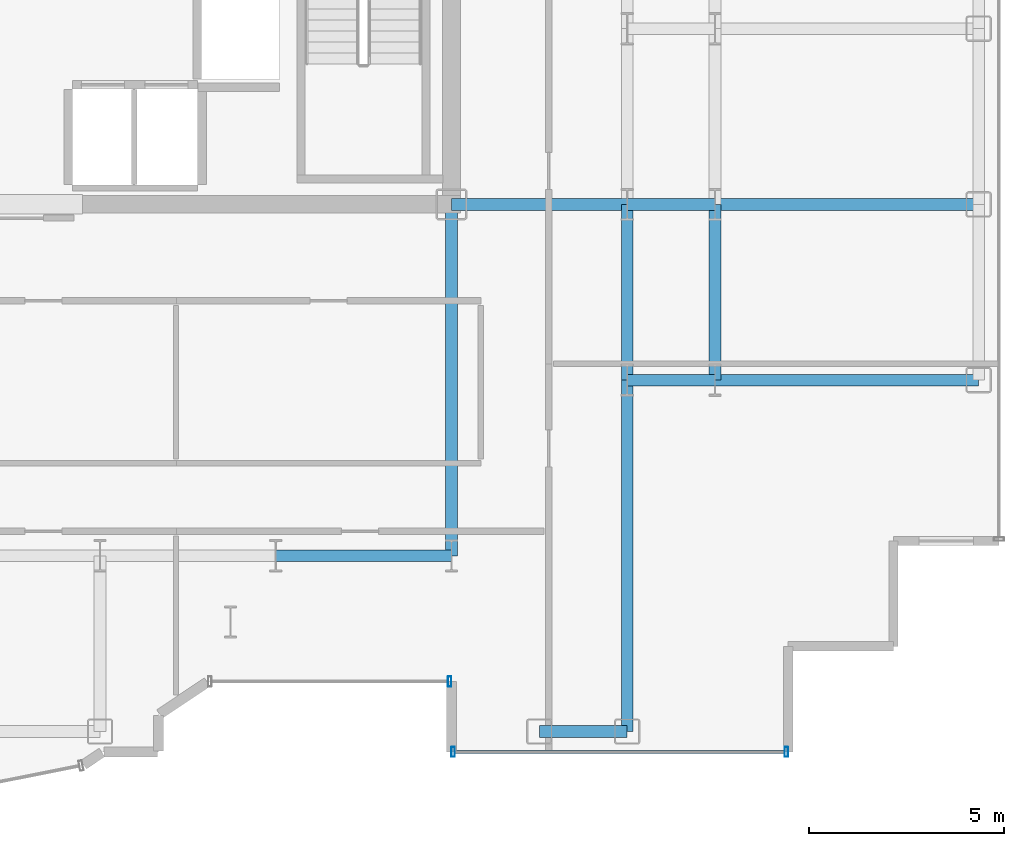
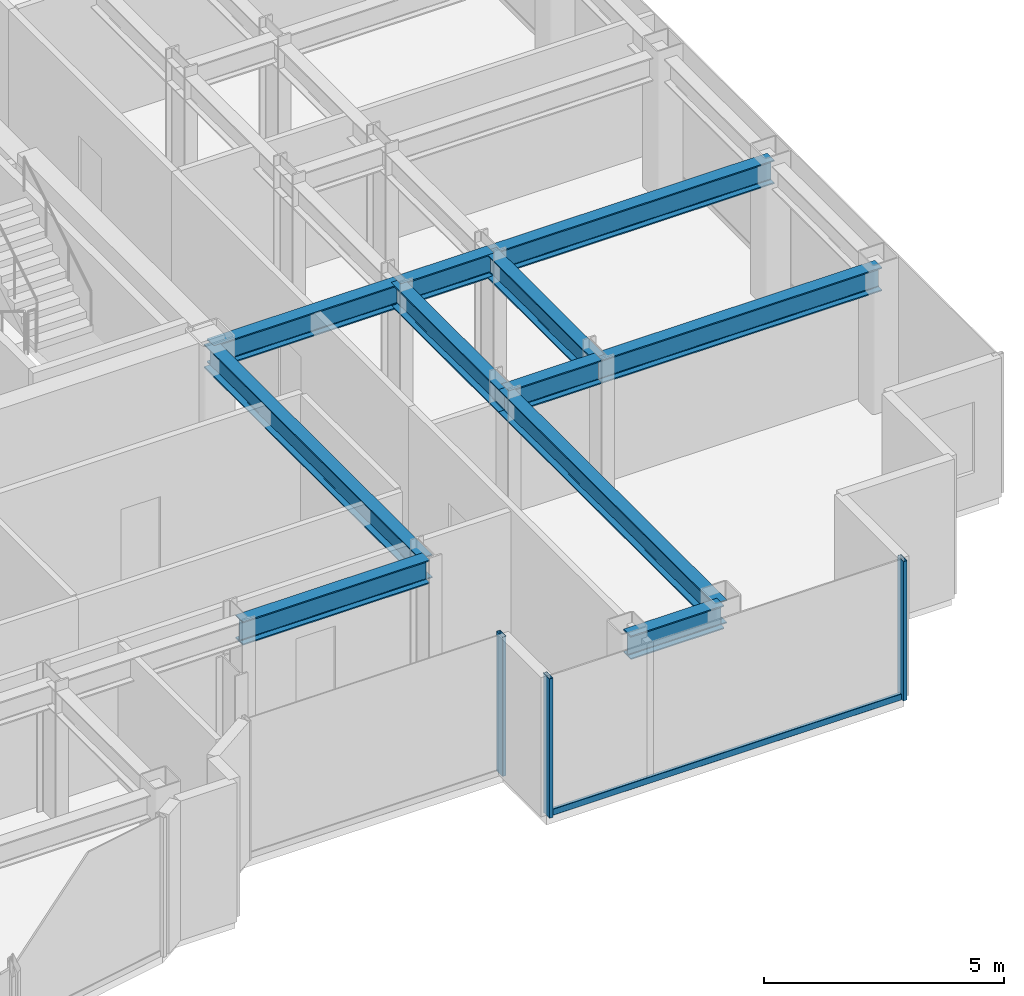
# One storey, part 5 of 20: 11 beams, 4 members, 2 elements without a shape of their own.
"""IFC4 building model written with IfcOpenShell, lengths in metres."""

import ifcopenshell
import ifcopenshell.guid

model = None  # the IFC model being written
_history = None  # IfcOwnerHistory: only IFC2X3 demands one
_inside = {}  # id of a spatial element -> (the spatial element, [elements in it])
_under = {}  # id of a project, library or spatial element -> (it, [spatial elements below it])
_declared = {}  # id of a project -> (the project, [libraries it declares])
_typed = {}  # id of a type object -> (the type object, [elements of that type])
_made_of = {}  # id of a material, layer set ... -> (it, [elements and type objects made of it])


def new_model(schema):
    """Start an empty IFC model of exactly this schema.

    Asked for "IFC4X3", IfcOpenShell would pick the latest addendum, in which some entities
    have other attributes; the version numbers below select the first issue.
    IFC2X3 requires an IfcOwnerHistory on every rooted entity: one is made here for all.
    """
    global model, _history
    if schema == "IFC4X3":
        model = ifcopenshell.file(schema_version=(4, 3, 0, 0))
    else:
        model = ifcopenshell.file(schema=schema)
    _inside.clear()
    _under.clear()
    _declared.clear()
    _typed.clear()
    _made_of.clear()
    _history = None
    if model.schema == "IFC2X3":
        org = make("IfcOrganization", Name="unknown")
        user = make(
            "IfcPersonAndOrganization",
            ThePerson=make("IfcPerson", FamilyName="unknown"),
            TheOrganization=org,
        )
        app = make(
            "IfcApplication",
            ApplicationDeveloper=org,
            Version="unknown",
            ApplicationFullName="unknown",
            ApplicationIdentifier="unknown",
        )
        _history = make(
            "IfcOwnerHistory",
            OwningUser=user,
            OwningApplication=app,
            ChangeAction="ADDED",
            CreationDate=0,
        )
    return model


def make(cls, **values):
    """One entity of the class cls with the attributes given. An attribute that is None is left unset."""
    return model.create_entity(
        cls, **{name: value for name, value in values.items() if value is not None}
    )


def rooted(cls, **values):
    """An entity with a GlobalId (a new one), such as an element, a storey or a relation."""
    return make(cls, GlobalId=ifcopenshell.guid.new(), OwnerHistory=_history, **values)


def si_unit(unit_type, name, prefix=None):
    """IfcSIUnit, for example si_unit("LENGTHUNIT", "METRE", prefix="MILLI")."""
    return make("IfcSIUnit", UnitType=unit_type, Prefix=prefix, Name=name)


def assignment(units):
    """IfcUnitAssignment: the units of a project."""
    return None if units is None else make("IfcUnitAssignment", Units=units)


def point(xyz):
    """IfcCartesianPoint."""
    return None if xyz is None else make("IfcCartesianPoint", Coordinates=xyz)


def direction(xyz):
    """IfcDirection."""
    return None if xyz is None else make("IfcDirection", DirectionRatios=xyz)


def frame(location, z_axis=None, x_axis=None):
    """IfcAxis2Placement3D, a coordinate frame: its origin and axes. An axis left out is left unset."""
    return make(
        "IfcAxis2Placement3D",
        Location=point(location),
        Axis=direction(z_axis),
        RefDirection=direction(x_axis),
    )


def frame_2d(location, x_axis=None):
    """IfcAxis2Placement2D, a coordinate frame in the plane: its origin and x axis."""
    return make(
        "IfcAxis2Placement2D", Location=point(location), RefDirection=direction(x_axis)
    )


def origin():
    """The frame at (0, 0, 0) with its axes left unset."""
    return frame((0.0, 0.0, 0.0))


def origin_2d():
    """The frame at (0, 0) in the plane with its x axis left unset."""
    return frame_2d((0.0, 0.0))


def place(relative_to, where):
    """IfcLocalPlacement: puts the frame where relative to a parent placement (None: the world)."""
    return make(
        "IfcLocalPlacement", PlacementRelTo=relative_to, RelativePlacement=where
    )


def context(
    kind, dimensions, precision=None, world=None, true_north=None, identifier=None
):
    """IfcGeometricRepresentationContext, for example the 3D "Model" context."""
    return make(
        "IfcGeometricRepresentationContext",
        ContextIdentifier=identifier,
        ContextType=kind,
        CoordinateSpaceDimension=dimensions,
        Precision=precision,
        WorldCoordinateSystem=world,
        TrueNorth=true_north,
    )


def subcontext(parent, identifier, kind, view, scale=None):
    """IfcGeometricRepresentationSubContext, for example "Body" below "Model"."""
    return make(
        "IfcGeometricRepresentationSubContext",
        ContextIdentifier=identifier,
        ContextType=kind,
        ParentContext=parent,
        TargetScale=scale,
        TargetView=view,
    )


def project(units=None, contexts=None):
    """IfcProject with its units and contexts."""
    return rooted(
        "IfcProject",
        Name="project",
        RepresentationContexts=contexts,
        UnitsInContext=assignment(units),
    )


def spatial(cls, under=None, at=None, **own):
    """A site, building, storey or space (cls), placed at a placement, below another one or the project."""
    s = rooted(cls, ObjectPlacement=at, **own)
    if under is not None:
        _under.setdefault(under.id(), (under, []))[1].append(s)
    return s


def profile(cls, at=None, kind="AREA", **sizes):
    """A parametric profile (cls). Its sizes go by their IFC names, for example OverallWidth=200.0."""
    return make(cls, ProfileType=kind, Position=at, **sizes)


def hollow_rectangle(**sizes):
    """IfcRectangleHollowProfileDef."""
    return profile("IfcRectangleHollowProfileDef", **sizes)


def i_section(**sizes):
    """IfcIShapeProfileDef."""
    return profile("IfcIShapeProfileDef", **sizes)


def extrude(swept, where, along, depth):
    """IfcExtrudedAreaSolid: the profile swept, set in the frame where, extruded along a direction by depth."""
    return make(
        "IfcExtrudedAreaSolid",
        SweptArea=swept,
        Position=where,
        ExtrudedDirection=direction(along),
        Depth=depth,
    )


def shape(context_of_items, identifier, shape_type, items):
    """IfcShapeRepresentation: the items that make up one representation, for example the "Body"."""
    return make(
        "IfcShapeRepresentation",
        ContextOfItems=context_of_items,
        RepresentationIdentifier=identifier,
        RepresentationType=shape_type,
        Items=items,
    )


def source(mapping_origin, context_of_items, identifier, shape_type, items):
    """IfcRepresentationMap: a shape defined once, which mapped items show again and again."""
    return make(
        "IfcRepresentationMap",
        MappingOrigin=mapping_origin,
        MappedRepresentation=shape(context_of_items, identifier, shape_type, items),
    )


def transform(
    local_origin,
    x_axis=None,
    y_axis=None,
    z_axis=None,
    scale=None,
    scale2=None,
    scale3=None,
    uniform=True,
):
    """IfcCartesianTransformationOperator3D, or its non-uniform kind. x_axis, y_axis, z_axis: its Axis1, 2, 3."""
    if uniform:
        return make(
            "IfcCartesianTransformationOperator3D",
            Axis1=direction(x_axis),
            Axis2=direction(y_axis),
            LocalOrigin=point(local_origin),
            Scale=scale,
            Axis3=direction(z_axis),
        )
    return make(
        "IfcCartesianTransformationOperator3DnonUniform",
        Axis1=direction(x_axis),
        Axis2=direction(y_axis),
        LocalOrigin=point(local_origin),
        Scale=scale,
        Axis3=direction(z_axis),
        Scale2=scale2,
        Scale3=scale3,
    )


def mapped(mapping_source, mapping_target):
    """IfcMappedItem: shows the shape of a source again, moved by a transform."""
    return make(
        "IfcMappedItem", MappingSource=mapping_source, MappingTarget=mapping_target
    )


def material(Name=None, Category=None):
    """IfcMaterial."""
    return make("IfcMaterial", Name=Name, Category=Category)


def layer(
    of_material, thickness, ventilated=None, Name=None, Category=None, Priority=None
):
    """IfcMaterialLayer: one layer of a wall or slab, of a material (None: an air gap)."""
    return make(
        "IfcMaterialLayer",
        Material=of_material,
        LayerThickness=thickness,
        IsVentilated=ventilated,
        Name=Name,
        Category=Category,
        Priority=Priority,
    )


def layer_set(layers, Name=None):
    """IfcMaterialLayerSet."""
    return make("IfcMaterialLayerSet", MaterialLayers=layers, LayerSetName=Name)


def material_profile(
    of_material, cross_section, Name=None, Category=None, Priority=None
):
    """IfcMaterialProfile: a cross section and its material."""
    return make(
        "IfcMaterialProfile",
        Name=Name,
        Material=of_material,
        Profile=cross_section,
        Priority=Priority,
        Category=Category,
    )


def profile_set(profiles, Name=None, composite=None):
    """IfcMaterialProfileSet."""
    return make(
        "IfcMaterialProfileSet",
        Name=Name,
        MaterialProfiles=profiles,
        CompositeProfile=composite,
    )


def made_of(thing, what):
    """Note that an element or type object is made of a material, layer set ...; save() writes the relation."""
    if what is not None:
        _made_of.setdefault(what.id(), (what, []))[1].append(thing)
    return thing


def type_object(cls, material=None, **own):
    """A type object (cls), such as IfcWallType, which elements share."""
    return made_of(rooted(cls, **own), material)


def element(
    cls,
    number,
    at=None,
    inside=None,
    cuts=None,
    type_object=None,
    material=None,
    context=None,
    identifier="Body",
    shape_type=None,
    held_by="IfcProductDefinitionShape",
    body=None,
    shapes=None,
    **own,
):
    """One element of the class cls, such as IfcWall. Its Tag is "e" and its number.

    at: its placement. inside: the storey or other place that contains it. cuts: it is an
    opening in that element (IfcRelVoidsElement). A single representation is given by context,
    identifier, shape_type and body (its items); several are given by shapes. held_by: the class
    of the entity that holds the representations. save() writes the other relations.
    """
    e = rooted(cls, Tag="e%d" % number, ObjectPlacement=at, **own)
    if body is not None:
        shapes = [shape(context, identifier, shape_type, body)]
    if shapes is not None:
        e.Representation = make(held_by, Representations=shapes)
    if inside is not None:
        _inside.setdefault(inside.id(), (inside, []))[1].append(e)
    if cuts is not None:
        rooted(
            "IfcRelVoidsElement", RelatingBuildingElement=cuts, RelatedOpeningElement=e
        )
    if type_object is not None:
        _typed.setdefault(type_object.id(), (type_object, []))[1].append(e)
    return made_of(e, material)


def aggregate(whole, parts):
    """IfcRelAggregates: a whole, such as a stair, and the parts it consists of."""
    return rooted("IfcRelAggregates", RelatingObject=whole, RelatedObjects=parts)


def save(model, path):
    """Write the relations noted so far, then the file.

    IfcRelAggregates (storeys below a building ...), IfcRelContainedInSpatialStructure (elements
    in a storey), IfcRelDefinesByType, IfcRelAssociatesMaterial and IfcRelDeclares: one each for
    every whole, place, type object, material and project.
    """
    for whole, parts in _under.values():
        aggregate(whole, parts)
    for where, things in _inside.values():
        rooted(
            "IfcRelContainedInSpatialStructure",
            RelatedElements=things,
            RelatingStructure=where,
        )
    for kind, things in _typed.values():
        rooted("IfcRelDefinesByType", RelatedObjects=things, RelatingType=kind)
    for what, things in _made_of.values():
        rooted("IfcRelAssociatesMaterial", RelatedObjects=things, RelatingMaterial=what)
    for by, libraries in _declared.values():
        rooted("IfcRelDeclares", RelatingContext=by, RelatedDefinitions=libraries)
    model.write(path)


model = new_model("IFC4")

# Units and contexts
model_context = context("Model", 3, precision=1e-05, world=origin(), true_north=direction((0.0, 1.0)))
body_context = subcontext(model_context, "Body", "Model", "MODEL_VIEW")
ifc_project = project(units=[si_unit("LENGTHUNIT", "METRE"), si_unit("AREAUNIT", "SQUARE_METRE"), si_unit("VOLUMEUNIT", "CUBIC_METRE"), si_unit("PLANEANGLEUNIT", "RADIAN"), si_unit("MASSUNIT", "GRAM", prefix="KILO")], contexts=[model_context])

# Site, building, storey
site_placement = place(None, origin())
site = spatial("IfcSite", under=ifc_project, at=site_placement, CompositionType="ELEMENT")
building_placement = place(site_placement, origin())
building = spatial("IfcBuilding", under=site, at=building_placement, Name="Nefas-Gora Pilgrimage Tower", CompositionType="ELEMENT")
storey_placement = place(building_placement, frame((0.0, 0.0, 221.800048828125)))
storey = spatial("IfcBuildingStorey", under=building, at=storey_placement, Name="L55", CompositionType="ELEMENT", Elevation=221.800048828125)

# Beams
ifc_material_1 = material(Name="Steel S355", Category="steel")
ifc_material_profile_1 = material_profile(ifc_material_1, i_section(OverallWidth=0.300048828125, OverallDepth=0.60009765625, WebThickness=0.015380859375, FlangeThickness=0.030029296875, FilletRadius=0.027099609375, at=origin_2d()), Name="HEB 600")
ifc_profile_set_1 = profile_set([ifc_material_profile_1], Name="Steel S355")
beam_type_1 = type_object("IfcBeamType", Name="BM-GIR-HEB600", PredefinedType="BEAM", material=ifc_profile_set_1)
shared_shape_1 = source(origin(), body_context, "Body", "SweptSolid", [
    extrude(i_section(OverallWidth=0.300048828125, OverallDepth=0.60009765625, WebThickness=0.015380859375, FlangeThickness=0.030029296875, FilletRadius=0.027099609375, at=origin_2d()), origin(), (0.0, 0.0, 1.0), 9.0),
])
for number, where, z_axis, x_axis, name in (
    (1, (11.25, -18.0, 3.25), (0.0, 1.0, 0.0), (-1.0, 0.0, 0.0), "L55 G-04 beam"),
    (2, (15.75, -22.5, 3.25), (0.0, 1.0, 0.0), (-1.0, 0.0, 0.0), "L55 G-04 beam"),
):
    element("IfcBeam", number, at=place(storey_placement, frame(where, z_axis=z_axis, x_axis=x_axis)), inside=storey, type_object=beam_type_1, Name=name, PredefinedType="BEAM", context=body_context, shape_type="MappedRepresentation", body=[
        mapped(shared_shape_1, transform((0.0, 0.0, 0.0), x_axis=(1.0, 0.0, 0.0), y_axis=(0.0, 1.0, 0.0), z_axis=(0.0, 0.0, 1.0), scale=1.0)),
    ])
shared_shape_2 = source(origin(), body_context, "Body", "SweptSolid", [
    extrude(i_section(OverallWidth=0.300048828125, OverallDepth=0.60009765625, WebThickness=0.015380859375, FlangeThickness=0.030029296875, FilletRadius=0.027099609375, at=origin_2d()), origin(), (0.0, 0.0, 1.0), 4.5),
])
for number, where, z_axis, x_axis, name in (
    (3, (6.75, -18.0, 3.25), (1.0, 0.0, 0.0), (0.0, 1.0, 0.0), "L55 G-04 beam"),
    (4, (11.25, -9.0, 3.25), (1.0, 0.0, 0.0), (0.0, 1.0, 0.0), "L55 G-04 beam"),
    (5, (15.75, -13.5, 3.25), (0.0, 1.0, 0.0), (-1.0, 0.0, 0.0), "L55 G-04 beam"),
    (6, (18.0, -13.5, 3.25), (0.0, 1.0, 0.0), (-1.0, 0.0, 0.0), "L55 G-04 beam"),
):
    element("IfcBeam", number, at=place(storey_placement, frame(where, z_axis=z_axis, x_axis=x_axis)), inside=storey, type_object=beam_type_1, Name=name, PredefinedType="BEAM", context=body_context, shape_type="MappedRepresentation", body=[
        mapped(shared_shape_2, transform((0.0, 0.0, 0.0), x_axis=(1.0, 0.0, 0.0), y_axis=(0.0, 1.0, 0.0), z_axis=(0.0, 0.0, 1.0), scale=1.0)),
    ])
shared_shape_3 = source(origin(), body_context, "Body", "SweptSolid", [
    extrude(i_section(OverallWidth=0.300048828125, OverallDepth=0.60009765625, WebThickness=0.015380859375, FlangeThickness=0.030029296875, FilletRadius=0.027099609375, at=origin_2d()), origin(), (0.0, 0.0, 1.0), 6.75),
])
for number, where, z_axis, x_axis, name in (
    (7, (18.0, -13.5, 3.25), (1.0, 0.0, 0.0), (0.0, 1.0, 0.0), "L55 G-04 beam"),
    (8, (18.0, -9.0, 3.25), (1.0, 0.0, 0.0), (0.0, 1.0, 0.0), "L55 G-04 beam"),
):
    element("IfcBeam", number, at=place(storey_placement, frame(where, z_axis=z_axis, x_axis=x_axis)), inside=storey, type_object=beam_type_1, Name=name, PredefinedType="BEAM", context=body_context, shape_type="MappedRepresentation", body=[
        mapped(shared_shape_3, transform((0.0, 0.0, 0.0), x_axis=(1.0, 0.0, 0.0), y_axis=(0.0, 1.0, 0.0), z_axis=(0.0, 0.0, 1.0), scale=1.0)),
    ])
ifc_material_profile_2 = material_profile(ifc_material_1, i_section(OverallWidth=0.300048828125, OverallDepth=0.60009765625, WebThickness=0.015380859375, FlangeThickness=0.030029296875, FilletRadius=0.027099609375, at=origin_2d()), Name="HEB 600")
ifc_profile_set_2 = profile_set([ifc_material_profile_2], Name="Steel S355")
beam_type_2 = type_object("IfcBeamType", Name="BM-SPN-HEB450", PredefinedType="SPANDREL", material=ifc_profile_set_2)
shared_shape_4 = source(origin(), body_context, "Body", "SweptSolid", [
    extrude(i_section(OverallWidth=0.300048828125, OverallDepth=0.60009765625, WebThickness=0.015380859375, FlangeThickness=0.030029296875, FilletRadius=0.027099609375, at=origin_2d()), origin(), (0.0, 0.0, 1.0), 2.25),
])
beam_placement = place(storey_placement, frame((13.5, -22.5, 3.25), z_axis=(1.0, 0.0, 0.0), x_axis=(0.0, 1.0, 0.0)))
element("IfcBeam", 9, at=beam_placement, inside=storey, type_object=beam_type_2, Name="L55 SP-03 beam", PredefinedType="SPANDREL", context=body_context, shape_type="MappedRepresentation", body=[
    mapped(shared_shape_4, transform((0.0, 0.0, 0.0), x_axis=(1.0, 0.0, 0.0), y_axis=(0.0, 1.0, 0.0), z_axis=(0.0, 0.0, 1.0), scale=1.0)),
])
shared_shape_5 = source(origin(), body_context, "Body", "SweptSolid", [
    extrude(i_section(OverallWidth=0.300048828125, OverallDepth=0.60009765625, WebThickness=0.015380859375, FlangeThickness=0.030029296875, FilletRadius=0.027099609375, at=origin_2d()), origin(), (0.0, 0.0, 1.0), 2.25),
])
for number, where, z_axis, x_axis, name in (
    (10, (15.75, -13.5, 3.25), (1.0, 0.0, 0.0), (0.0, 1.0, 0.0), "L55 G-04 beam"),
    (11, (15.75, -9.0, 3.25), (1.0, 0.0, 0.0), (0.0, 1.0, 0.0), "L55 G-04 beam"),
):
    element("IfcBeam", number, at=place(storey_placement, frame(where, z_axis=z_axis, x_axis=x_axis)), inside=storey, type_object=beam_type_1, Name=name, PredefinedType="BEAM", context=body_context, shape_type="MappedRepresentation", body=[
        mapped(shared_shape_5, transform((0.0, 0.0, 0.0), x_axis=(1.0, 0.0, 0.0), y_axis=(0.0, 1.0, 0.0), z_axis=(0.0, 0.0, 1.0), scale=1.0)),
    ])

# Curtain wall, member
ifc_material_2 = material(Name="Dark ceramic-fritted solar-control aluminium-glass curtain wall", Category="aluminium")
ifc_layer_1 = layer(ifc_material_2, 0.219970703125)
ifc_layer_set_1 = layer_set([ifc_layer_1], Name="Dark ceramic-fritted solar-control aluminium-glass curtain wall")
curtain_wall_type_1 = type_object("IfcCurtainWallType", Name="CW-SYS-5", PredefinedType="NOTDEFINED", material=ifc_layer_set_1)
curtain_wall_1_placement = place(storey_placement, origin())
curtain_wall_1 = element("IfcCurtainWall", 12, at=curtain_wall_1_placement, inside=storey, type_object=curtain_wall_type_1, Name="L55 Unitised Curtain Wall CW5", PredefinedType="NOTDEFINED")
ifc_material_3 = material(Name="Anodised architectural aluminium", Category="aluminium")
ifc_material_profile_3 = material_profile(ifc_material_3, hollow_rectangle(XDim=0.090087890625, YDim=0.260009765625, WallThickness=0.006103515625, InnerFilletRadius=0.006103515625, OuterFilletRadius=0.011962890625, at=origin_2d()), Name="ALU MULLION 90x260")
ifc_profile_set_3 = profile_set([ifc_material_profile_3], Name="Anodised architectural aluminium")
member_type_1 = type_object("IfcMemberType", Name="CWM-MUL-5", PredefinedType="MULLION", material=ifc_profile_set_3)
shared_shape_6 = source(origin(), body_context, "Body", "SweptSolid", [
    extrude(hollow_rectangle(XDim=0.090087890625, YDim=0.260009765625, WallThickness=0.006103515625, InnerFilletRadius=0.006103515625, OuterFilletRadius=0.011962890625, at=origin_2d()), origin(), (0.0, 0.0, 1.0), 3.550048828125),
])
member_1_placement = place(storey_placement, frame((11.205078125, -21.219970703125, 0.0), z_axis=(0.0, 0.0, 1.0), x_axis=(1.0, 0.0, 0.0)))
member_1 = element("IfcMember", 13, at=member_1_placement, type_object=member_type_1, Name="CW5 Mullion 2", PredefinedType="MULLION", context=body_context, shape_type="MappedRepresentation", body=[
    mapped(shared_shape_6, transform((0.0, 0.0, 0.0), x_axis=(1.0, 0.0, 0.0), y_axis=(0.0, 1.0, 0.0), z_axis=(0.0, 0.0, 1.0), scale=1.0)),
])
aggregate(curtain_wall_1, [member_1])

# Curtain wall, members
ifc_layer_2 = layer(ifc_material_2, 0.219970703125)
ifc_layer_set_2 = layer_set([ifc_layer_2], Name="Dark ceramic-fritted solar-control aluminium-glass curtain wall")
curtain_wall_type_2 = type_object("IfcCurtainWallType", Name="CW-SYS-3", PredefinedType="NOTDEFINED", material=ifc_layer_set_2)
curtain_wall_2_placement = place(storey_placement, origin())
curtain_wall_2 = element("IfcCurtainWall", 14, at=curtain_wall_2_placement, inside=storey, type_object=curtain_wall_type_2, Name="L55 Unitised Curtain Wall CW3", PredefinedType="NOTDEFINED")
ifc_material_profile_4 = material_profile(ifc_material_3, hollow_rectangle(XDim=0.090087890625, YDim=0.260009765625, WallThickness=0.006103515625, InnerFilletRadius=0.006103515625, OuterFilletRadius=0.011962890625, at=origin_2d()), Name="ALU MULLION 90x260")
ifc_profile_set_4 = profile_set([ifc_material_profile_4], Name="Anodised architectural aluminium")
member_type_2 = type_object("IfcMemberType", Name="CWM-MUL-3", PredefinedType="MULLION", material=ifc_profile_set_4)
shared_shape_7 = source(origin(), body_context, "Body", "SweptSolid", [
    extrude(hollow_rectangle(XDim=0.090087890625, YDim=0.260009765625, WallThickness=0.006103515625, InnerFilletRadius=0.006103515625, OuterFilletRadius=0.011962890625, at=origin_2d()), origin(), (0.0, 0.0, 1.0), 3.550048828125),
])
member_2_placement = place(storey_placement, frame((11.294921875, -23.02001953125, 0.0), z_axis=(0.0, 0.0, 1.0), x_axis=(1.0, 0.0, 0.0)))
member_2 = element("IfcMember", 15, at=member_2_placement, type_object=member_type_2, Name="CW3 Mullion 1", PredefinedType="MULLION", context=body_context, shape_type="MappedRepresentation", body=[
    mapped(shared_shape_7, transform((0.0, 0.0, 0.0), x_axis=(1.0, 0.0, 0.0), y_axis=(0.0, 1.0, 0.0), z_axis=(0.0, 0.0, 1.0), scale=1.0)),
])
member_3_placement = place(storey_placement, frame((19.824951171875, -23.02001953125, 0.0), z_axis=(0.0, 0.0, 1.0), x_axis=(1.0, 0.0, 0.0)))
member_3 = element("IfcMember", 16, at=member_3_placement, type_object=member_type_2, Name="CW3 Mullion 2", PredefinedType="MULLION", context=body_context, shape_type="MappedRepresentation", body=[
    mapped(shared_shape_7, transform((0.0, 0.0, 0.0), x_axis=(1.0, 0.0, 0.0), y_axis=(0.0, 1.0, 0.0), z_axis=(0.0, 0.0, 1.0), scale=1.0)),
])
ifc_material_profile_5 = material_profile(ifc_material_3, hollow_rectangle(XDim=0.080078125, YDim=0.159912109375, WallThickness=0.00439453125, InnerFilletRadius=0.00439453125, OuterFilletRadius=0.009033203125, at=origin_2d()), Name="ALU TRANSOM 80x160")
ifc_profile_set_5 = profile_set([ifc_material_profile_5], Name="Anodised architectural aluminium")
member_type_3 = type_object("IfcMemberType", Name="CWM-TRN-3", PredefinedType="USERDEFINED", material=ifc_profile_set_5)
shared_shape_8 = source(origin(), body_context, "Body", "SweptSolid", [
    extrude(hollow_rectangle(XDim=0.080078125, YDim=0.159912109375, WallThickness=0.00439453125, InnerFilletRadius=0.00439453125, OuterFilletRadius=0.009033203125, at=origin_2d()), origin(), (0.0, 0.0, 1.0), 8.43994140625),
])
member_4_placement = place(storey_placement, frame((11.340087890625, -23.02001953125, 0.050048828125), z_axis=(1.0, 0.0, 0.0), x_axis=(0.0, 1.0, 0.0)))
member_4 = element("IfcMember", 17, at=member_4_placement, type_object=member_type_3, Name="CW3 Spandrel Transom", ObjectType="TRANSOM", PredefinedType="USERDEFINED", context=body_context, shape_type="MappedRepresentation", body=[
    mapped(shared_shape_8, transform((0.0, 0.0, 0.0), x_axis=(1.0, 0.0, 0.0), y_axis=(0.0, 1.0, 0.0), z_axis=(0.0, 0.0, 1.0), scale=1.0)),
])
aggregate(curtain_wall_2, [member_2, member_3, member_4])

save(model, "model.ifc")
